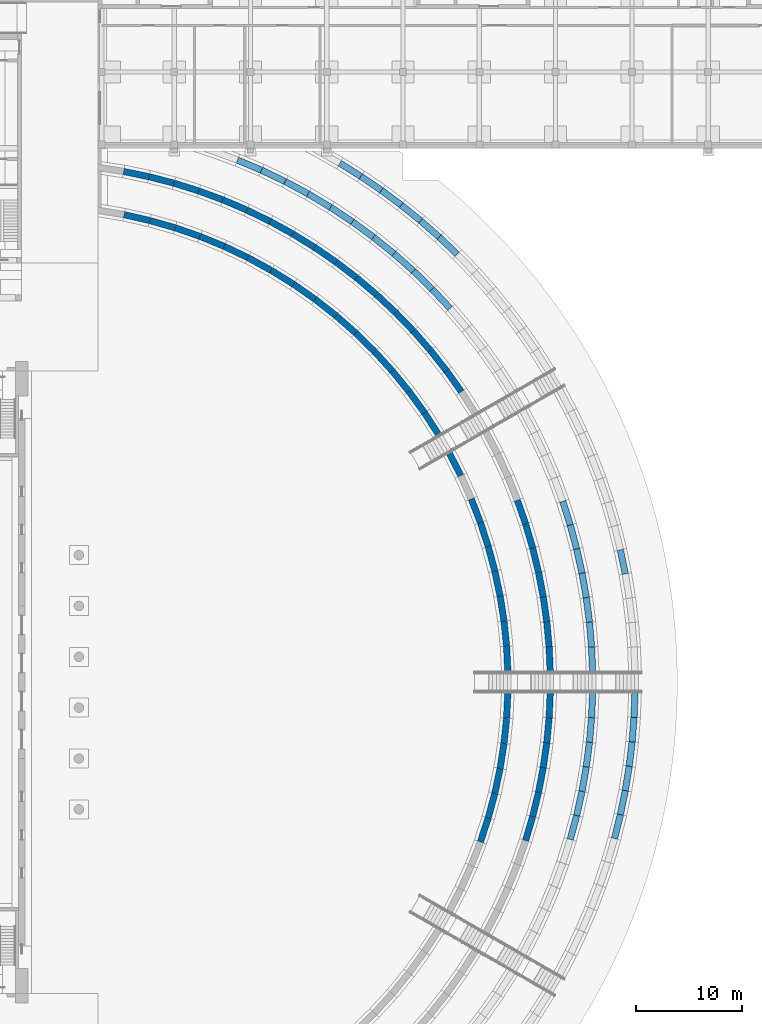
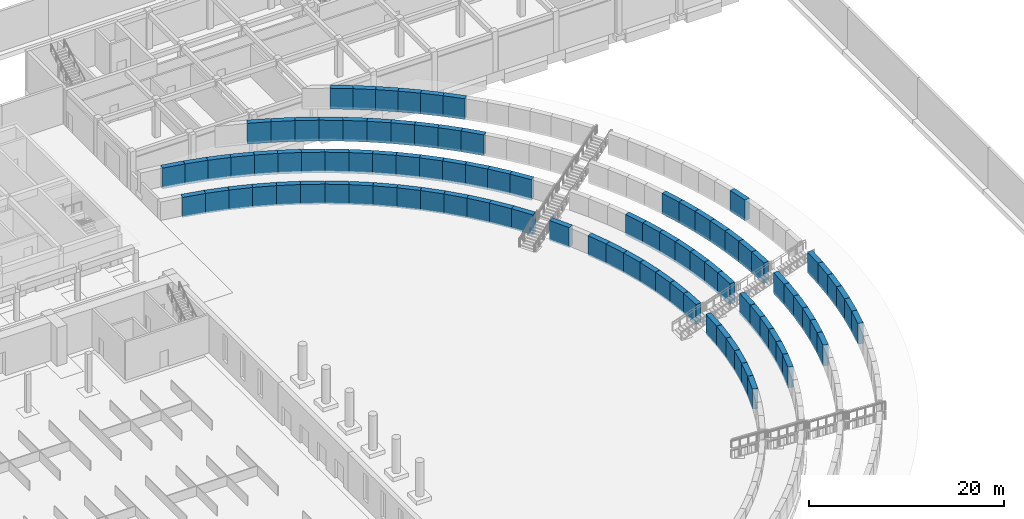
# One storey, part 49 of 73: 94 walls.
"""IFC4 building model written with IfcOpenShell, lengths in metres."""

from ifc_helpers import new_model, si_unit, direction, frame, frame_2d, origin, place, context, subcontext, project, spatial, rectangle, extrude, material, layer, layer_set, type_object, element, save


model = new_model("IFC4")

# Units and contexts
model_context = context("Model", 3, precision=1e-05, world=origin(), true_north=direction((0.0, 1.0)))
body_context = subcontext(model_context, "Body", "Model", "MODEL_VIEW")
ifc_project = project(units=[si_unit("LENGTHUNIT", "METRE"), si_unit("AREAUNIT", "SQUARE_METRE"), si_unit("VOLUMEUNIT", "CUBIC_METRE"), si_unit("PLANEANGLEUNIT", "RADIAN"), si_unit("MASSUNIT", "GRAM", prefix="KILO")], contexts=[model_context])

# Site, building, storey
site_placement = place(None, origin())
site = spatial("IfcSite", under=ifc_project, at=site_placement, CompositionType="ELEMENT")
building_placement = place(site_placement, origin())
building = spatial("IfcBuilding", under=site, at=building_placement, Name="Alderwick Market Hall", CompositionType="ELEMENT")
storey_placement = place(building_placement, origin())
storey = spatial("IfcBuildingStorey", under=building, at=storey_placement, Name="LG", CompositionType="ELEMENT", Elevation=0.0)

# Walls
ifc_material = material(Name="Concrete 5000 psi (f'c 35 MPa)", Category="concrete")
ifc_layer = layer(ifc_material, 0.60009765625)
ifc_layer_set = layer_set([ifc_layer], Name="Concrete 5000 psi (f'c 35 MPa)")
wall_type = type_object("IfcWallType", Name="S Terrace Wall 600", PredefinedType="SOLIDWALL", material=ifc_layer_set)
wall_1_placement = place(storey_placement, frame((194.50146484375, 64.13037109375, -0.199951171875), z_axis=(0.0, 0.0, 1.0), x_axis=(0.309849231098, 0.950785703504, 0.0)))
element("IfcWall", 1, at=wall_1_placement, inside=storey, type_object=wall_type, Name="Terrace wall W1.20", PredefinedType="SOLIDWALL", context=body_context, shape_type="SweptSolid", body=[
    extrude(rectangle(XDim=2.379638671875, YDim=0.60009765625, at=frame_2d((1.18994140625, 0.0))), origin(), (0.0, 0.0, 1.0), 2.5),
])
for number, where, z_axis, x_axis, name in (
    (2, (195.243408203125, 66.408203125, -0.199951171875), (0.0, 0.0, 1.0), (0.258773696232, 0.965937976341, 0.0), "Terrace wall W1.21"),
    (3, (195.86279296875, 68.721923828125, -0.199951171875), (0.0, 0.0, 1.0), (0.207153112776, 0.978308534087, 0.0), "Terrace wall W1.22"),
    (4, (196.3583984375, 71.065673828125, -0.199951171875), (0.0, 0.0, 1.0), (0.154724290579, 0.987957688317, 0.0), "Terrace wall W1.23"),
    (5, (196.728515625, 73.432373046875, -0.199951171875), (0.0, 0.0, 1.0), (0.101992415201, 0.994785176428, 0.0), "Terrace wall W1.24"),
):
    element("IfcWall", number, at=place(storey_placement, frame(where, z_axis=z_axis, x_axis=x_axis)), inside=storey, type_object=wall_type, Name=name, PredefinedType="SOLIDWALL", context=body_context, shape_type="SweptSolid", body=[
        extrude(rectangle(XDim=2.37939453125, YDim=0.60009765625, at=frame_2d((1.189697265625, 0.0))), origin(), (0.0, 0.0, 1.0), 2.5),
    ])
wall_2_placement = place(storey_placement, frame((196.972412109375, 75.8154296875, -0.199951171875), z_axis=(0.0, 0.0, 1.0), x_axis=(0.048779784891, 0.998809557717, 0.0)))
element("IfcWall", 6, at=wall_2_placement, inside=storey, type_object=wall_type, Name="Terrace wall W1.25", PredefinedType="SOLIDWALL", context=body_context, shape_type="SweptSolid", body=[
    extrude(rectangle(XDim=2.387451171875, YDim=0.60009765625, at=frame_2d((1.19384765625, 0.0))), origin(), (0.0, 0.0, 1.0), 2.5),
])
wall_3_placement = place(storey_placement, frame((197.0888671875, 80.199951171875, -0.199951171875), z_axis=(0.0, 0.0, 1.0), x_axis=(-0.048774802936, 0.998809801012, 0.0)))
element("IfcWall", 7, at=wall_3_placement, inside=storey, type_object=wall_type, Name="Terrace wall W1.26", PredefinedType="SOLIDWALL", context=body_context, shape_type="SweptSolid", body=[
    extrude(rectangle(XDim=2.3876953125, YDim=0.60009765625, at=frame_2d((1.19384765625, 0.0))), origin(), (0.0, 0.0, 1.0), 2.5),
])
for number, where, z_axis, x_axis, name in (
    (8, (196.97119140625, 82.6005859375, -0.199951171875), (0.0, 0.0, 1.0), (-0.101982005588, 0.99478624364, 0.0), "Terrace wall W1.27"),
    (9, (196.7265625, 84.9833984375, -0.199951171875), (0.0, 0.0, 1.0), (-0.154708608251, 0.987960144203, 0.0), "Terrace wall W1.28"),
):
    element("IfcWall", number, at=place(storey_placement, frame(where, z_axis=z_axis, x_axis=x_axis)), inside=storey, type_object=wall_type, Name=name, PredefinedType="SOLIDWALL", context=body_context, shape_type="SweptSolid", body=[
        extrude(rectangle(XDim=2.379638671875, YDim=0.60009765625, at=frame_2d((1.18994140625, 0.0))), origin(), (0.0, 0.0, 1.0), 2.5),
    ])
for number, where, z_axis, x_axis, name in (
    (10, (196.355712890625, 87.35009765625, -0.199951171875), (0.0, 0.0, 1.0), (-0.207153112776, 0.978308534087, 0.0), "Terrace wall W1.29"),
    (11, (195.859130859375, 89.693603515625, -0.199951171875), (0.0, 0.0, 1.0), (-0.258773696232, 0.965937976341, 0.0), "Terrace wall W1.30"),
):
    element("IfcWall", number, at=place(storey_placement, frame(where, z_axis=z_axis, x_axis=x_axis)), inside=storey, type_object=wall_type, Name=name, PredefinedType="SOLIDWALL", context=body_context, shape_type="SweptSolid", body=[
        extrude(rectangle(XDim=2.37939453125, YDim=0.60009765625, at=frame_2d((1.189697265625, 0.0))), origin(), (0.0, 0.0, 1.0), 2.5),
    ])
for number, where, z_axis, x_axis, name in (
    (12, (195.23876953125, 92.007080078125, -0.199951171875), (0.0, 0.0, 1.0), (-0.309849231098, 0.950785703504, 0.0), "Terrace wall W1.31"),
    (13, (194.49609375, 94.28466796875, -0.199951171875), (0.0, 0.0, 1.0), (-0.360023894901, 0.932943082455, 0.0), "Terrace wall W1.32"),
):
    element("IfcWall", number, at=place(storey_placement, frame(where, z_axis=z_axis, x_axis=x_axis)), inside=storey, type_object=wall_type, Name=name, PredefinedType="SOLIDWALL", context=body_context, shape_type="SweptSolid", body=[
        extrude(rectangle(XDim=2.379638671875, YDim=0.60009765625, at=frame_2d((1.18994140625, 0.0))), origin(), (0.0, 0.0, 1.0), 2.5),
    ])
wall_4_placement = place(storey_placement, frame((192.65283203125, 98.705078125, -0.199951171875), z_axis=(0.0, 0.0, 1.0), x_axis=(-0.457126170362, 0.889401857638, 0.0)))
element("IfcWall", 14, at=wall_4_placement, inside=storey, type_object=wall_type, Name="Terrace wall W1.34", PredefinedType="SOLIDWALL", context=body_context, shape_type="SweptSolid", body=[
    extrude(rectangle(XDim=2.38720703125, YDim=0.60009765625, at=frame_2d((1.193603515625, 0.0))), origin(), (0.0, 0.0, 1.0), 2.5),
])
wall_5_placement = place(storey_placement, frame((190.5615234375, 102.560546875, -0.199951171875), z_axis=(0.0, 0.0, 1.0), x_axis=(-0.542528327067, 0.840037507693, 0.0)))
element("IfcWall", 15, at=wall_5_placement, inside=storey, type_object=wall_type, Name="Terrace wall W1.35", PredefinedType="SOLIDWALL", context=body_context, shape_type="SweptSolid", body=[
    extrude(rectangle(XDim=2.47900390625, YDim=0.60009765625, at=frame_2d((1.239501953125, 0.0))), origin(), (0.0, 0.0, 1.0), 2.5),
])
for number, where, z_axis, x_axis, name in (
    (16, (189.20703125, 104.656494140625, -0.199951171875), (0.0, 0.0, 1.0), (-0.588124694563, 0.808770266297, 0.0), "Terrace wall W1.36"),
    (17, (187.743896484375, 106.668212890625, -0.199951171875), (0.0, 0.0, 1.0), (-0.631934662061, 0.775021666075, 0.0), "Terrace wall W1.37"),
    (18, (186.171630859375, 108.595703125, -0.199951171875), (0.0, 0.0, 1.0), (-0.67379829148, 0.738915328301, 0.0), "Terrace wall W1.38"),
):
    element("IfcWall", number, at=place(storey_placement, frame(where, z_axis=z_axis, x_axis=x_axis)), inside=storey, type_object=wall_type, Name=name, PredefinedType="SOLIDWALL", context=body_context, shape_type="SweptSolid", body=[
        extrude(rectangle(XDim=2.470703125, YDim=0.60009765625, at=frame_2d((1.2353515625, 0.0))), origin(), (0.0, 0.0, 1.0), 2.5),
    ])
for number, where, z_axis, x_axis, name in (
    (19, (184.495361328125, 110.43310546875, -0.199951171875), (0.0, 0.0, 1.0), (-0.713500201393, 0.700655023969, 0.0), "Terrace wall W1.39"),
    (20, (182.72021484375, 112.175537109375, -0.199951171875), (0.0, 0.0, 1.0), (-0.751234673966, 0.660035199539, 0.0), "Terrace wall W1.40"),
):
    element("IfcWall", number, at=place(storey_placement, frame(where, z_axis=z_axis, x_axis=x_axis)), inside=storey, type_object=wall_type, Name=name, PredefinedType="SOLIDWALL", context=body_context, shape_type="SweptSolid", body=[
        extrude(rectangle(XDim=2.470947265625, YDim=0.60009765625, at=frame_2d((1.2353515625, 0.0))), origin(), (0.0, 0.0, 1.0), 2.5),
    ])
for number, where, z_axis, x_axis, name in (
    (21, (180.851318359375, 113.81689453125, -0.199951171875), (0.0, 0.0, 1.0), (-0.78643833128, 0.617668803723, 0.0), "Terrace wall W1.41"),
    (22, (178.894775390625, 115.352783203125, -0.199951171875), (0.0, 0.0, 1.0), (-0.819468607578, 0.57312407138, 0.0), "Terrace wall W1.42"),
    (23, (176.856201171875, 116.778076171875, -0.199951171875), (0.0, 0.0, 1.0), (-0.849885875177, 0.52696679134, 0.0), "Terrace wall W1.43"),
):
    element("IfcWall", number, at=place(storey_placement, frame(where, z_axis=z_axis, x_axis=x_axis)), inside=storey, type_object=wall_type, Name=name, PredefinedType="SOLIDWALL", context=body_context, shape_type="SweptSolid", body=[
        extrude(rectangle(XDim=2.470703125, YDim=0.60009765625, at=frame_2d((1.2353515625, 0.0))), origin(), (0.0, 0.0, 1.0), 2.5),
    ])
wall_6_placement = place(storey_placement, frame((174.7421875, 118.08837890625, -0.199951171875), z_axis=(0.0, 0.0, 1.0), x_axis=(-0.877657584773, 0.479288184592, 0.0)))
element("IfcWall", 24, at=wall_6_placement, inside=storey, type_object=wall_type, Name="Terrace wall W1.44", PredefinedType="SOLIDWALL", context=body_context, shape_type="SweptSolid", body=[
    extrude(rectangle(XDim=2.470947265625, YDim=0.60009765625, at=frame_2d((1.2353515625, 0.0))), origin(), (0.0, 0.0, 1.0), 2.5),
])
wall_7_placement = place(storey_placement, frame((172.55859375, 119.2802734375, -0.199951171875), z_axis=(0.0, 0.0, 1.0), x_axis=(-0.902840424582, 0.429975775761, 0.0)))
element("IfcWall", 25, at=wall_7_placement, inside=storey, type_object=wall_type, Name="Terrace wall W1.45", PredefinedType="SOLIDWALL", context=body_context, shape_type="SweptSolid", body=[
    extrude(rectangle(XDim=2.470458984375, YDim=0.60009765625, at=frame_2d((1.2353515625, 0.0))), origin(), (0.0, 0.0, 1.0), 2.5),
])
for number, where, z_axis, x_axis, name in (
    (26, (170.31298828125, 120.349365234375, -0.199951171875), (0.0, 0.0, 1.0), (-0.925190857181, 0.379502144643, 0.0), "Terrace wall W1.46"),
    (27, (168.011474609375, 121.292724609375, -0.199951171875), (0.0, 0.0, 1.0), (-0.944739127498, 0.327823094022, 0.0), "Terrace wall W1.47"),
):
    element("IfcWall", number, at=place(storey_placement, frame(where, z_axis=z_axis, x_axis=x_axis)), inside=storey, type_object=wall_type, Name=name, PredefinedType="SOLIDWALL", context=body_context, shape_type="SweptSolid", body=[
        extrude(rectangle(XDim=2.470947265625, YDim=0.60009765625, at=frame_2d((1.2353515625, 0.0))), origin(), (0.0, 0.0, 1.0), 2.5),
    ])
for number, where, z_axis, x_axis, name in (
    (28, (165.661376953125, 122.107666015625, -0.199951171875), (0.0, 0.0, 1.0), (-0.961419475386, 0.275086517932, 0.0), "Terrace wall W1.48"),
    (29, (163.269775390625, 122.79150390625, -0.199951171875), (0.0, 0.0, 1.0), (-0.975153234814, 0.221531416805, 0.0), "Terrace wall W1.49"),
):
    element("IfcWall", number, at=place(storey_placement, frame(where, z_axis=z_axis, x_axis=x_axis)), inside=storey, type_object=wall_type, Name=name, PredefinedType="SOLIDWALL", context=body_context, shape_type="SweptSolid", body=[
        extrude(rectangle(XDim=2.470703125, YDim=0.60009765625, at=frame_2d((1.2353515625, 0.0))), origin(), (0.0, 0.0, 1.0), 2.5),
    ])
wall_8_placement = place(storey_placement, frame((198.76513671875, 64.255615234375, 0.89990234375), z_axis=(0.0, 0.0, 1.0), x_axis=(0.282065115226, 0.959395263055, 0.0)))
element("IfcWall", 30, at=wall_8_placement, inside=storey, type_object=wall_type, Name="Terrace wall W2.23", PredefinedType="SOLIDWALL", context=body_context, shape_type="SweptSolid", body=[
    extrude(rectangle(XDim=2.350830078125, YDim=0.60009765625, at=frame_2d((1.17529296875, 0.0))), origin(), (0.0, 0.0, 1.0), 2.60009765625),
])
wall_9_placement = place(storey_placement, frame((199.43212890625, 66.52490234375, 0.89990234375), z_axis=(0.0, 0.0, 1.0), x_axis=(0.23541871896, 0.971894040913, 0.0)))
element("IfcWall", 31, at=wall_9_placement, inside=storey, type_object=wall_type, Name="Terrace wall W2.24", PredefinedType="SOLIDWALL", context=body_context, shape_type="SweptSolid", body=[
    extrude(rectangle(XDim=2.35107421875, YDim=0.60009765625, at=frame_2d((1.175537109375, 0.0))), origin(), (0.0, 0.0, 1.0), 2.60009765625),
])
wall_10_placement = place(storey_placement, frame((199.988525390625, 68.823974609375, 0.89990234375), z_axis=(0.0, 0.0, 1.0), x_axis=(0.188281146834, 0.982115171325, 0.0)))
element("IfcWall", 32, at=wall_10_placement, inside=storey, type_object=wall_type, Name="Terrace wall W2.25", PredefinedType="SOLIDWALL", context=body_context, shape_type="SweptSolid", body=[
    extrude(rectangle(XDim=2.350830078125, YDim=0.60009765625, at=frame_2d((1.17529296875, 0.0))), origin(), (0.0, 0.0, 1.0), 2.60009765625),
])
wall_11_placement = place(storey_placement, frame((200.43359375, 71.14697265625, 0.89990234375), z_axis=(0.0, 0.0, 1.0), x_axis=(0.14060715766, 0.990065466126, 0.0)))
element("IfcWall", 33, at=wall_11_placement, inside=storey, type_object=wall_type, Name="Terrace wall W2.26", PredefinedType="SOLIDWALL", context=body_context, shape_type="SweptSolid", body=[
    extrude(rectangle(XDim=2.35107421875, YDim=0.60009765625, at=frame_2d((1.175537109375, 0.0))), origin(), (0.0, 0.0, 1.0), 2.60009765625),
])
wall_12_placement = place(storey_placement, frame((200.765869140625, 73.489013671875, 0.89990234375), z_axis=(0.0, 0.0, 1.0), x_axis=(0.092745492268, 0.995689848127, 0.0)))
element("IfcWall", 34, at=wall_12_placement, inside=storey, type_object=wall_type, Name="Terrace wall W2.27", PredefinedType="SOLIDWALL", context=body_context, shape_type="SweptSolid", body=[
    extrude(rectangle(XDim=2.350830078125, YDim=0.60009765625, at=frame_2d((1.17529296875, 0.0))), origin(), (0.0, 0.0, 1.0), 2.60009765625),
])
wall_13_placement = place(storey_placement, frame((200.98486328125, 75.84423828125, 0.89990234375), z_axis=(0.0, 0.0, 1.0), x_axis=(0.044520017801, 0.999008492464, 0.0)))
element("IfcWall", 35, at=wall_13_placement, inside=storey, type_object=wall_type, Name="Terrace wall W2.28", PredefinedType="SOLIDWALL", context=body_context, shape_type="SweptSolid", body=[
    extrude(rectangle(XDim=2.358154296875, YDim=0.60009765625, at=frame_2d((1.17919921875, 0.0))), origin(), (0.0, 0.0, 1.0), 2.60009765625),
])
wall_14_placement = place(storey_placement, frame((201.08984375, 80.199951171875, 0.89990234375), z_axis=(0.0, 0.0, 1.0), x_axis=(-0.04451541347, 0.999008697642, 0.0)))
element("IfcWall", 36, at=wall_14_placement, inside=storey, type_object=wall_type, Name="Terrace wall W2.29", PredefinedType="SOLIDWALL", context=body_context, shape_type="SweptSolid", body=[
    extrude(rectangle(XDim=2.3583984375, YDim=0.60009765625, at=frame_2d((1.17919921875, 0.0))), origin(), (0.0, 0.0, 1.0), 2.60009765625),
])
wall_15_placement = place(storey_placement, frame((200.98388671875, 82.5703125, 0.89990234375), z_axis=(0.0, 0.0, 1.0), x_axis=(-0.092745492268, 0.995689848127, 0.0)))
element("IfcWall", 37, at=wall_15_placement, inside=storey, type_object=wall_type, Name="Terrace wall W2.30", PredefinedType="SOLIDWALL", context=body_context, shape_type="SweptSolid", body=[
    extrude(rectangle(XDim=2.350830078125, YDim=0.60009765625, at=frame_2d((1.17529296875, 0.0))), origin(), (0.0, 0.0, 1.0), 2.60009765625),
])
for number, where, z_axis, x_axis, name in (
    (38, (200.76416015625, 84.92529296875, 0.89990234375), (0.0, 0.0, 1.0), (-0.14060715766, 0.990065466126, 0.0), "Terrace wall W2.31"),
    (39, (200.43115234375, 87.26708984375, 0.89990234375), (0.0, 0.0, 1.0), (-0.18826194535, 0.982118852244, 0.0), "Terrace wall W2.32"),
):
    element("IfcWall", number, at=place(storey_placement, frame(where, z_axis=z_axis, x_axis=x_axis)), inside=storey, type_object=wall_type, Name=name, PredefinedType="SOLIDWALL", context=body_context, shape_type="SweptSolid", body=[
        extrude(rectangle(XDim=2.35107421875, YDim=0.60009765625, at=frame_2d((1.175537109375, 0.0))), origin(), (0.0, 0.0, 1.0), 2.60009765625),
    ])
for number, where, z_axis, x_axis, name in (
    (40, (199.985595703125, 89.59033203125, 0.89990234375), (0.0, 0.0, 1.0), (-0.23544248145, 0.971888284696, 0.0), "Terrace wall W2.33"),
    (41, (199.42822265625, 91.88916015625, 0.89990234375), (0.0, 0.0, 1.0), (-0.282065115226, 0.959395263055, 0.0), "Terrace wall W2.34"),
):
    element("IfcWall", number, at=place(storey_placement, frame(where, z_axis=z_axis, x_axis=x_axis)), inside=storey, type_object=wall_type, Name=name, PredefinedType="SOLIDWALL", context=body_context, shape_type="SweptSolid", body=[
        extrude(rectangle(XDim=2.350830078125, YDim=0.60009765625, at=frame_2d((1.17529296875, 0.0))), origin(), (0.0, 0.0, 1.0), 2.60009765625),
    ])
wall_16_placement = place(storey_placement, frame((198.7607421875, 94.158203125, 0.89990234375), z_axis=(0.0, 0.0, 1.0), x_axis=(-0.328041291954, 0.944663384901, 0.0)))
element("IfcWall", 42, at=wall_16_placement, inside=storey, type_object=wall_type, Name="Terrace wall W2.35", PredefinedType="SOLIDWALL", context=body_context, shape_type="SweptSolid", body=[
    extrude(rectangle(XDim=2.35107421875, YDim=0.60009765625, at=frame_2d((1.175537109375, 0.0))), origin(), (0.0, 0.0, 1.0), 2.60009765625),
])
for number, where, z_axis, x_axis, name in (
    (43, (192.705322265625, 106.6259765625, 0.89990234375), (0.0, 0.0, 1.0), (-0.580068095827, 0.814567986238, 0.0), "Terrace wall W2.40"),
    (44, (191.287353515625, 108.616455078125, 0.89990234375), (0.0, 0.0, 1.0), (-0.61997665299, 0.784620258308, 0.0), "Terrace wall W2.41"),
    (45, (189.77197265625, 110.53369140625, 0.89990234375), (0.0, 0.0, 1.0), (-0.658340929889, 0.752719881518, 0.0), "Terrace wall W2.42"),
    (46, (188.162841796875, 112.373046875, 0.89990234375), (0.0, 0.0, 1.0), (-0.695044612252, 0.718966610476, 0.0), "Terrace wall W2.43"),
    (47, (186.4638671875, 114.1298828125, 0.89990234375), (0.0, 0.0, 1.0), (-0.729991524308, 0.683456197893, 0.0), "Terrace wall W2.44"),
):
    element("IfcWall", number, at=place(storey_placement, frame(where, z_axis=z_axis, x_axis=x_axis)), inside=storey, type_object=wall_type, Name=name, PredefinedType="SOLIDWALL", context=body_context, shape_type="SweptSolid", body=[
        extrude(rectangle(XDim=2.428955078125, YDim=0.60009765625, at=frame_2d((1.21435546875, 0.0))), origin(), (0.0, 0.0, 1.0), 2.60009765625),
    ])
wall_17_placement = place(storey_placement, frame((184.6796875, 115.7998046875, 0.89990234375), z_axis=(0.0, 0.0, 1.0), x_axis=(-0.76322233638, 0.646135949511, 0.0)))
element("IfcWall", 48, at=wall_17_placement, inside=storey, type_object=wall_type, Name="Terrace wall W2.45", PredefinedType="SOLIDWALL", context=body_context, shape_type="SweptSolid", body=[
    extrude(rectangle(XDim=2.42919921875, YDim=0.60009765625, at=frame_2d((1.214599609375, 0.0))), origin(), (0.0, 0.0, 1.0), 2.60009765625),
])
wall_18_placement = place(storey_placement, frame((182.814208984375, 117.37890625, 0.89990234375), z_axis=(0.0, 0.0, 1.0), x_axis=(-0.794466235478, 0.607308324235, 0.0)))
element("IfcWall", 49, at=wall_18_placement, inside=storey, type_object=wall_type, Name="Terrace wall W2.46", PredefinedType="SOLIDWALL", context=body_context, shape_type="SweptSolid", body=[
    extrude(rectangle(XDim=2.428955078125, YDim=0.60009765625, at=frame_2d((1.21435546875, 0.0))), origin(), (0.0, 0.0, 1.0), 2.60009765625),
])
wall_19_placement = place(storey_placement, frame((180.872314453125, 118.86279296875, 0.89990234375), z_axis=(0.0, 0.0, 1.0), x_axis=(-0.823763194222, 0.566934034827, 0.0)))
element("IfcWall", 50, at=wall_19_placement, inside=storey, type_object=wall_type, Name="Terrace wall W2.47", PredefinedType="SOLIDWALL", context=body_context, shape_type="SweptSolid", body=[
    extrude(rectangle(XDim=2.4287109375, YDim=0.60009765625, at=frame_2d((1.21435546875, 0.0))), origin(), (0.0, 0.0, 1.0), 2.60009765625),
])
for number, where, z_axis, x_axis, name in (
    (51, (178.85888671875, 120.248046875, 0.89990234375), (0.0, 0.0, 1.0), (-0.850977707641, 0.525201809877, 0.0), "Terrace wall W2.48"),
    (52, (176.779052734375, 121.53125, 0.89990234375), (0.0, 0.0, 1.0), (-0.876145870369, 0.482046070241, 0.0), "Terrace wall W2.49"),
    (53, (174.6376953125, 122.708984375, 0.89990234375), (0.0, 0.0, 1.0), (-0.899061901298, 0.437821536284, 0.0), "Terrace wall W2.50"),
    (54, (172.440185546875, 123.77880859375, 0.89990234375), (0.0, 0.0, 1.0), (-0.91979364717, 0.39240240395, 0.0), "Terrace wall W2.51"),
    (55, (170.192138671875, 124.7373046875, 0.89990234375), (0.0, 0.0, 1.0), (-0.938207471925, 0.346073315389, 0.0), "Terrace wall W2.52"),
    (56, (167.899169921875, 125.582763671875, 0.89990234375), (0.0, 0.0, 1.0), (-0.9542758663, 0.298927367429, 0.0), "Terrace wall W2.53"),
):
    element("IfcWall", number, at=place(storey_placement, frame(where, z_axis=z_axis, x_axis=x_axis)), inside=storey, type_object=wall_type, Name=name, PredefinedType="SOLIDWALL", context=body_context, shape_type="SweptSolid", body=[
        extrude(rectangle(XDim=2.428955078125, YDim=0.60009765625, at=frame_2d((1.21435546875, 0.0))), origin(), (0.0, 0.0, 1.0), 2.60009765625),
    ])
wall_20_placement = place(storey_placement, frame((165.56689453125, 126.31298828125, 0.89990234375), z_axis=(0.0, 0.0, 1.0), x_axis=(-0.968013175812, 0.250899365195, 0.0)))
element("IfcWall", 57, at=wall_20_placement, inside=storey, type_object=wall_type, Name="Terrace wall W2.54", PredefinedType="SOLIDWALL", context=body_context, shape_type="SweptSolid", body=[
    extrude(rectangle(XDim=2.4287109375, YDim=0.60009765625, at=frame_2d((1.21435546875, 0.0))), origin(), (0.0, 0.0, 1.0), 2.60009765625),
])
wall_21_placement = place(storey_placement, frame((163.201171875, 126.92578125, 0.89990234375), z_axis=(0.0, 0.0, 1.0), x_axis=(-0.979316083995, 0.202336372481, 0.0)))
element("IfcWall", 58, at=wall_21_placement, inside=storey, type_object=wall_type, Name="Terrace wall W2.55", PredefinedType="SOLIDWALL", context=body_context, shape_type="SweptSolid", body=[
    extrude(rectangle(XDim=2.428955078125, YDim=0.60009765625, at=frame_2d((1.21435546875, 0.0))), origin(), (0.0, 0.0, 1.0), 2.60009765625),
])
for number, where, z_axis, x_axis, name in (
    (59, (202.98046875, 64.36181640625, 2.10009765625), (0.0, 0.0, 1.0), (0.258765795341, 0.965940092946, 0.0), "Terrace wall W3.21"),
    (60, (203.5859375, 66.622802734375, 2.10009765625), (0.0, 0.0, 1.0), (0.215864149817, 0.976423406532, 0.0), "Terrace wall W3.22"),
    (61, (204.091064453125, 68.908447265625, 2.10009765625), (0.0, 0.0, 1.0), (0.172642381676, 0.984984572493, 0.0), "Terrace wall W3.23"),
    (62, (204.494873046875, 71.214111328125, 2.10009765625), (0.0, 0.0, 1.0), (0.128913167264, 0.99165588553, 0.0), "Terrace wall W3.24"),
):
    element("IfcWall", number, at=place(storey_placement, frame(where, z_axis=z_axis, x_axis=x_axis)), inside=storey, type_object=wall_type, Name=name, PredefinedType="SOLIDWALL", context=body_context, shape_type="SweptSolid", body=[
        extrude(rectangle(XDim=2.32763671875, YDim=0.60009765625, at=frame_2d((1.163818359375, 0.0))), origin(), (0.0, 0.0, 1.0), 2.599853515625),
    ])
wall_22_placement = place(storey_placement, frame((204.79638671875, 73.535400390625, 2.10009765625), z_axis=(0.0, 0.0, 1.0), x_axis=(0.084963793227, 0.996384039334, 0.0)))
element("IfcWall", 63, at=wall_22_placement, inside=storey, type_object=wall_type, Name="Terrace wall W3.25", PredefinedType="SOLIDWALL", context=body_context, shape_type="SweptSolid", body=[
    extrude(rectangle(XDim=2.327392578125, YDim=0.60009765625, at=frame_2d((1.16357421875, 0.0))), origin(), (0.0, 0.0, 1.0), 2.599853515625),
])
wall_23_placement = place(storey_placement, frame((204.9951171875, 75.867919921875, 2.10009765625), z_axis=(0.0, 0.0, 1.0), x_axis=(0.040899584946, 0.99916326191, 0.0)))
element("IfcWall", 64, at=wall_23_placement, inside=storey, type_object=wall_type, Name="Terrace wall W3.26", PredefinedType="SOLIDWALL", context=body_context, shape_type="SweptSolid", body=[
    extrude(rectangle(XDim=2.333984375, YDim=0.60009765625, at=frame_2d((1.1669921875, 0.0))), origin(), (0.0, 0.0, 1.0), 2.599853515625),
])
wall_24_placement = place(storey_placement, frame((205.090576171875, 80.199951171875, 2.10009765625), z_axis=(0.0, 0.0, 1.0), x_axis=(-0.040895310773, 0.999163436859, 0.0)))
element("IfcWall", 65, at=wall_24_placement, inside=storey, type_object=wall_type, Name="Terrace wall W3.27", PredefinedType="SOLIDWALL", context=body_context, shape_type="SweptSolid", body=[
    extrude(rectangle(XDim=2.334228515625, YDim=0.60009765625, at=frame_2d((1.1669921875, 0.0))), origin(), (0.0, 0.0, 1.0), 2.599853515625),
])
wall_25_placement = place(storey_placement, frame((204.994140625, 82.54541015625, 2.10009765625), z_axis=(0.0, 0.0, 1.0), x_axis=(-0.084963793227, 0.996384039334, 0.0)))
element("IfcWall", 66, at=wall_25_placement, inside=storey, type_object=wall_type, Name="Terrace wall W3.28", PredefinedType="SOLIDWALL", context=body_context, shape_type="SweptSolid", body=[
    extrude(rectangle(XDim=2.327392578125, YDim=0.60009765625, at=frame_2d((1.16357421875, 0.0))), origin(), (0.0, 0.0, 1.0), 2.599853515625),
])
wall_26_placement = place(storey_placement, frame((204.794921875, 84.877685546875, 2.10009765625), z_axis=(0.0, 0.0, 1.0), x_axis=(-0.128913167264, 0.99165588553, 0.0)))
element("IfcWall", 67, at=wall_26_placement, inside=storey, type_object=wall_type, Name="Terrace wall W3.29", PredefinedType="SOLIDWALL", context=body_context, shape_type="SweptSolid", body=[
    extrude(rectangle(XDim=2.32763671875, YDim=0.60009765625, at=frame_2d((1.163818359375, 0.0))), origin(), (0.0, 0.0, 1.0), 2.599853515625),
])
wall_27_placement = place(storey_placement, frame((204.492919921875, 87.198974609375, 2.10009765625), z_axis=(0.0, 0.0, 1.0), x_axis=(-0.172660219367, 0.98498144584, 0.0)))
element("IfcWall", 68, at=wall_27_placement, inside=storey, type_object=wall_type, Name="Terrace wall W3.30", PredefinedType="SOLIDWALL", context=body_context, shape_type="SweptSolid", body=[
    extrude(rectangle(XDim=2.327392578125, YDim=0.60009765625, at=frame_2d((1.16357421875, 0.0))), origin(), (0.0, 0.0, 1.0), 2.599853515625),
])
wall_28_placement = place(storey_placement, frame((204.08837890625, 89.50439453125, 2.10009765625), z_axis=(0.0, 0.0, 1.0), x_axis=(-0.215864149817, 0.976423406532, 0.0)))
element("IfcWall", 69, at=wall_28_placement, inside=storey, type_object=wall_type, Name="Terrace wall W3.31", PredefinedType="SOLIDWALL", context=body_context, shape_type="SweptSolid", body=[
    extrude(rectangle(XDim=2.32763671875, YDim=0.60009765625, at=frame_2d((1.163818359375, 0.0))), origin(), (0.0, 0.0, 1.0), 2.599853515625),
])
wall_29_placement = place(storey_placement, frame((203.582763671875, 91.7900390625, 2.10009765625), z_axis=(0.0, 0.0, 1.0), x_axis=(-0.258792015614, 0.965933068413, 0.0)))
element("IfcWall", 70, at=wall_29_placement, inside=storey, type_object=wall_type, Name="Terrace wall W3.32", PredefinedType="SOLIDWALL", context=body_context, shape_type="SweptSolid", body=[
    extrude(rectangle(XDim=2.327392578125, YDim=0.60009765625, at=frame_2d((1.16357421875, 0.0))), origin(), (0.0, 0.0, 1.0), 2.599853515625),
])
wall_30_placement = place(storey_placement, frame((202.976806640625, 94.05078125, 2.10009765625), z_axis=(0.0, 0.0, 1.0), x_axis=(-0.301241803421, 0.953547783738, 0.0)))
element("IfcWall", 71, at=wall_30_placement, inside=storey, type_object=wall_type, Name="Terrace wall W3.33", PredefinedType="SOLIDWALL", context=body_context, shape_type="SweptSolid", body=[
    extrude(rectangle(XDim=2.32763671875, YDim=0.60009765625, at=frame_2d((1.163818359375, 0.0))), origin(), (0.0, 0.0, 1.0), 2.599853515625),
])
for number, where, z_axis, x_axis, name in (
    (72, (191.63037109375, 114.50341796875, 2.10009765625), (0.0, 0.0, 1.0), (-0.683199891253, 0.730231407563, 0.0), "Terrace wall W3.42"),
    (73, (189.943115234375, 116.30615234375, 2.10009765625), (0.0, 0.0, 1.0), (-0.716441105464, 0.697647577507, 0.0), "Terrace wall W3.43"),
    (74, (188.173828125, 118.028564453125, 2.10009765625), (0.0, 0.0, 1.0), (-0.748149474107, 0.663530228697, 0.0), "Terrace wall W3.44"),
    (75, (186.326171875, 119.66650390625, 2.10009765625), (0.0, 0.0, 1.0), (-0.778271956086, 0.627927354373, 0.0), "Terrace wall W3.45"),
    (76, (184.404296875, 121.216796875, 2.10009765625), (0.0, 0.0, 1.0), (-0.806714685011, 0.590941128192, 0.0), "Terrace wall W3.46"),
    (77, (182.412353515625, 122.67578125, 2.10009765625), (0.0, 0.0, 1.0), (-0.83334828652, 0.552748254953, 0.0), "Terrace wall W3.47"),
    (78, (180.3544921875, 124.04052734375, 2.10009765625), (0.0, 0.0, 1.0), (-0.858220279218, 0.513281552697, 0.0), "Terrace wall W3.48"),
    (79, (178.2353515625, 125.307861328125, 2.10009765625), (0.0, 0.0, 1.0), (-0.881169361481, 0.472800757599, 0.0), "Terrace wall W3.49"),
):
    element("IfcWall", number, at=place(storey_placement, frame(where, z_axis=z_axis, x_axis=x_axis)), inside=storey, type_object=wall_type, Name=name, PredefinedType="SOLIDWALL", context=body_context, shape_type="SweptSolid", body=[
        extrude(rectangle(XDim=2.455322265625, YDim=0.60009765625, at=frame_2d((1.2275390625, 0.0))), origin(), (0.0, 0.0, 1.0), 2.599853515625),
    ])
wall_31_placement = place(storey_placement, frame((176.059326171875, 126.47509765625, 2.10009765625), z_axis=(0.0, 0.0, 1.0), x_axis=(-0.902221710532, 0.431272518305, 0.0)))
element("IfcWall", 80, at=wall_31_placement, inside=storey, type_object=wall_type, Name="Terrace wall W3.50", PredefinedType="SOLIDWALL", context=body_context, shape_type="SweptSolid", body=[
    extrude(rectangle(XDim=2.455078125, YDim=0.60009765625, at=frame_2d((1.2275390625, 0.0))), origin(), (0.0, 0.0, 1.0), 2.599853515625),
])
wall_32_placement = place(storey_placement, frame((173.83154296875, 127.539794921875, 2.10009765625), z_axis=(0.0, 0.0, 1.0), x_axis=(-0.92133188635, 0.388776999312, 0.0)))
element("IfcWall", 81, at=wall_32_placement, inside=storey, type_object=wall_type, Name="Terrace wall W3.51", PredefinedType="SOLIDWALL", context=body_context, shape_type="SweptSolid", body=[
    extrude(rectangle(XDim=2.455322265625, YDim=0.60009765625, at=frame_2d((1.2275390625, 0.0))), origin(), (0.0, 0.0, 1.0), 2.599853515625),
])
for number, where, z_axis, x_axis, name in (
    (82, (207.1591796875, 64.453125, 3.300048828125), (0.0, 0.0, 1.0), (0.239149459556, 0.970982768124, 0.0), "Terrace wall W4.20"),
    (83, (207.7138671875, 66.706298828125, 3.300048828125), (0.0, 0.0, 1.0), (0.199390066898, 0.979920201456, 0.0), "Terrace wall W4.21"),
    (84, (208.17626953125, 68.97998046875, 3.300048828125), (0.0, 0.0, 1.0), (0.159302277921, 0.987229853808, 0.0), "Terrace wall W4.22"),
    (85, (208.545654296875, 71.2705078125, 3.300048828125), (0.0, 0.0, 1.0), (0.118995067751, 0.992894845314, 0.0), "Terrace wall W4.23"),
):
    element("IfcWall", number, at=place(storey_placement, frame(where, z_axis=z_axis, x_axis=x_axis)), inside=storey, type_object=wall_type, Name=name, PredefinedType="SOLIDWALL", context=body_context, shape_type="SweptSolid", body=[
        extrude(rectangle(XDim=2.30810546875, YDim=0.60009765625, at=frame_2d((1.154052734375, 0.0))), origin(), (0.0, 0.0, 1.0), 2.599853515625),
    ])
wall_33_placement = place(storey_placement, frame((208.821533203125, 73.574462890625, 3.300048828125), z_axis=(0.0, 0.0, 1.0), x_axis=(0.078492224808, 0.996914725864, 0.0)))
element("IfcWall", 86, at=wall_33_placement, inside=storey, type_object=wall_type, Name="Terrace wall W4.24", PredefinedType="SOLIDWALL", context=body_context, shape_type="SweptSolid", body=[
    extrude(rectangle(XDim=2.307861328125, YDim=0.60009765625, at=frame_2d((1.15380859375, 0.0))), origin(), (0.0, 0.0, 1.0), 2.599853515625),
])
wall_34_placement = place(storey_placement, frame((209.00341796875, 75.887451171875, 3.300048828125), z_axis=(0.0, 0.0, 1.0), x_axis=(0.037979335823, 0.999278524762, 0.0)))
element("IfcWall", 87, at=wall_34_placement, inside=storey, type_object=wall_type, Name="Terrace wall W4.25", PredefinedType="SOLIDWALL", context=body_context, shape_type="SweptSolid", body=[
    extrude(rectangle(XDim=2.314208984375, YDim=0.60009765625, at=frame_2d((1.1572265625, 0.0))), origin(), (0.0, 0.0, 1.0), 2.599853515625),
])
wall_35_placement = place(storey_placement, frame((208.174072265625, 89.431884765625, 3.300048828125), z_axis=(0.0, 0.0, 1.0), x_axis=(-0.199390066898, 0.979920201456, 0.0)))
element("IfcWall", 88, at=wall_35_placement, inside=storey, type_object=wall_type, Name="Terrace wall W4.30", PredefinedType="SOLIDWALL", context=body_context, shape_type="SweptSolid", body=[
    extrude(rectangle(XDim=2.30810546875, YDim=0.60009765625, at=frame_2d((1.154052734375, 0.0))), origin(), (0.0, 0.0, 1.0), 2.599853515625),
])
for number, where, z_axis, x_axis, name in (
    (89, (192.30517578125, 119.604736328125, 3.300048828125), (0.0, 0.0, 1.0), (-0.723158112811, 0.69068252032, 0.0), "Terrace wall W4.44"),
    (90, (190.61083984375, 121.22265625, 3.300048828125), (0.0, 0.0, 1.0), (-0.750912987783, 0.660401154434, 0.0), "Terrace wall W4.45"),
    (91, (188.8515625, 122.769775390625, 3.300048828125), (0.0, 0.0, 1.0), (-0.777422931337, 0.628978207755, 0.0), "Terrace wall W4.46"),
):
    element("IfcWall", number, at=place(storey_placement, frame(where, z_axis=z_axis, x_axis=x_axis)), inside=storey, type_object=wall_type, Name=name, PredefinedType="SOLIDWALL", context=body_context, shape_type="SweptSolid", body=[
        extrude(rectangle(XDim=2.33056640625, YDim=0.60009765625, at=frame_2d((1.165283203125, 0.0))), origin(), (0.0, 0.0, 1.0), 2.599853515625),
    ])
for number, where, z_axis, x_axis, name in (
    (92, (187.030029296875, 124.2431640625, 3.300048828125), (0.0, 0.0, 1.0), (-0.802594806015, 0.596524582359, 0.0), "Terrace wall W4.47"),
    (93, (185.149658203125, 125.640380859375, 3.300048828125), (0.0, 0.0, 1.0), (-0.826464423896, 0.562988948412, 0.0), "Terrace wall W4.48"),
):
    element("IfcWall", number, at=place(storey_placement, frame(where, z_axis=z_axis, x_axis=x_axis)), inside=storey, type_object=wall_type, Name=name, PredefinedType="SOLIDWALL", context=body_context, shape_type="SweptSolid", body=[
        extrude(rectangle(XDim=2.330322265625, YDim=0.60009765625, at=frame_2d((1.1650390625, 0.0))), origin(), (0.0, 0.0, 1.0), 2.599853515625),
    ])
wall_36_placement = place(storey_placement, frame((183.21337890625, 126.959228515625, 3.300048828125), z_axis=(0.0, 0.0, 1.0), x_axis=(-0.848862318923, 0.52861400238, 0.0)))
element("IfcWall", 94, at=wall_36_placement, inside=storey, type_object=wall_type, Name="Terrace wall W4.49", PredefinedType="SOLIDWALL", context=body_context, shape_type="SweptSolid", body=[
    extrude(rectangle(XDim=2.33056640625, YDim=0.60009765625, at=frame_2d((1.165283203125, 0.0))), origin(), (0.0, 0.0, 1.0), 2.599853515625),
])

save(model, "model.ifc")
